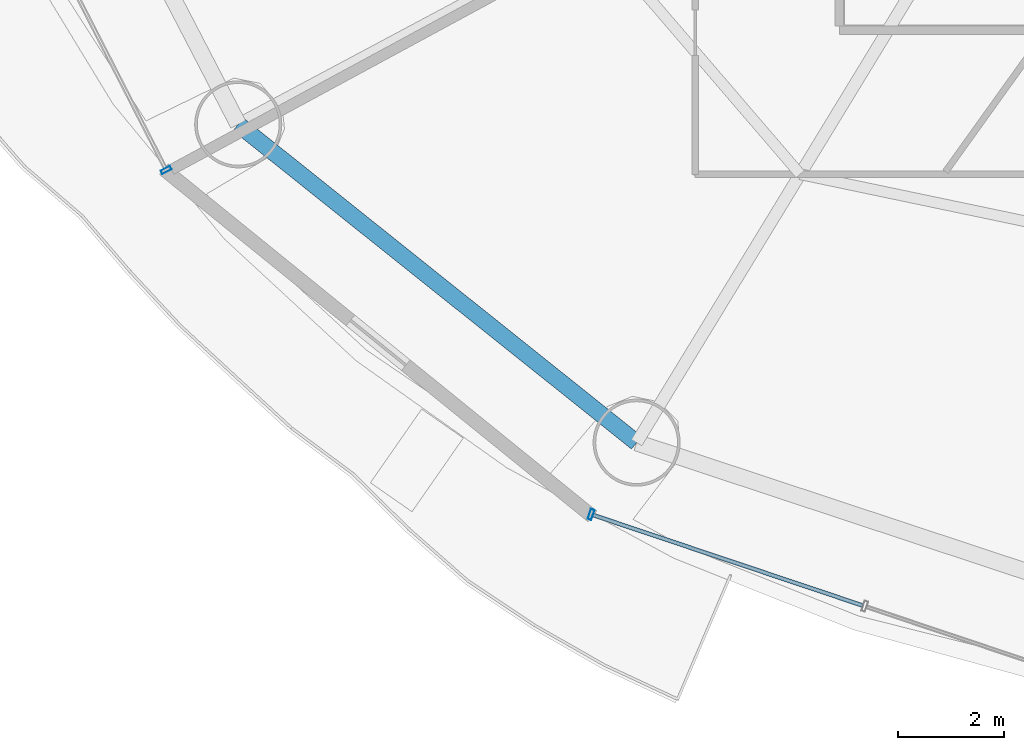
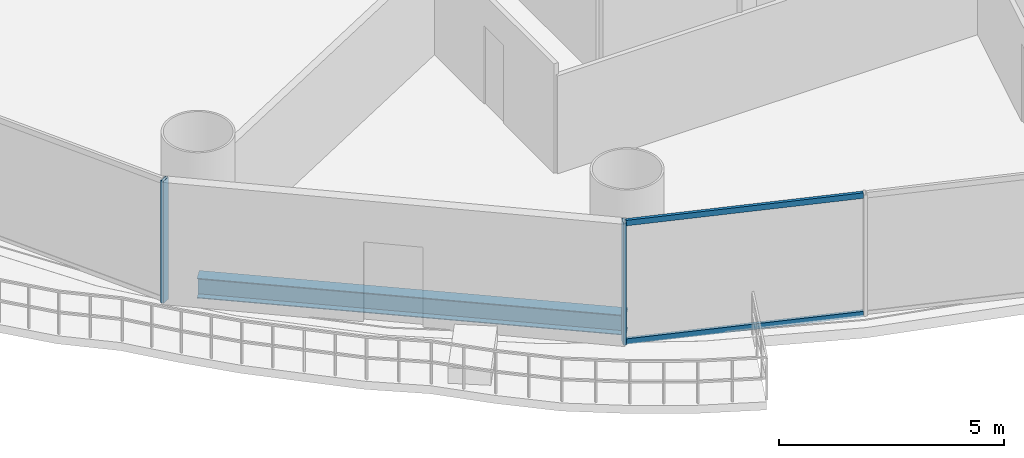
# One storey, part 2 of 30: 4 members, 1 beam, 2 elements without a shape of their own.
"""IFC4 building model written with IfcOpenShell, lengths in metres."""

from ifc_helpers import new_model, si_unit, direction, frame, origin, origin_2d, place, context, subcontext, project, spatial, hollow_rectangle, i_section, extrude, source, transform, mapped, material, material_profile, profile_set, type_object, element, aggregate, save


model = new_model("IFC4")

# Units and contexts
model_context = context("Model", 3, precision=1e-05, world=origin(), true_north=direction((-0.2419218956, 0.970295726276)))
body_context = subcontext(model_context, "Body", "Model", "MODEL_VIEW")
ifc_project = project(units=[si_unit("LENGTHUNIT", "METRE"), si_unit("AREAUNIT", "SQUARE_METRE"), si_unit("VOLUMEUNIT", "CUBIC_METRE"), si_unit("PLANEANGLEUNIT", "RADIAN"), si_unit("MASSUNIT", "GRAM", prefix="KILO")], contexts=[model_context])

# Site, building, storey
site_placement = place(None, origin())
site = spatial("IfcSite", under=ifc_project, at=site_placement, CompositionType="ELEMENT")
building_placement = place(site_placement, origin())
building = spatial("IfcBuilding", under=site, at=building_placement, Name="Cobrevalo Terracotta Tower", CompositionType="ELEMENT")
storey_placement = place(building_placement, frame((0.0, 0.0, 63.60009765625)))
storey = spatial("IfcBuildingStorey", under=building, at=storey_placement, Name="L16", CompositionType="ELEMENT", Elevation=63.60009765625)

# Beam
ifc_material_1 = material(Name="Steel S355", Category="steel")
ifc_material_profile_1 = material_profile(ifc_material_1, i_section(OverallWidth=0.31201171875, OverallDepth=0.54296875, WebThickness=0.0126953125, FlangeThickness=0.020263671875, at=origin_2d()), Name="W 530x150")
ifc_profile_set_1 = profile_set([ifc_material_profile_1], Name="Steel S355")
beam_type = type_object("IfcBeamType", Name="Structural Spandrel W 530x150 (Steel S355)", PredefinedType="SPANDREL", material=ifc_profile_set_1)
beam_placement = place(storey_placement, frame((15.25927734375, 14.660888671875, -0.551513671875), z_axis=(0.781280479891, -0.62418011162, 0.0), x_axis=(0.62418011162, 0.781280479891, 0.0)))
element("IfcBeam", 1, at=beam_placement, inside=storey, type_object=beam_type, Name="L16 perimeter ring spandrel 10", PredefinedType="SPANDREL", context=body_context, shape_type="SweptSolid", body=[
    extrude(i_section(OverallWidth=0.31201171875, OverallDepth=0.54296875, WebThickness=0.0126953125, FlangeThickness=0.020263671875, at=origin_2d()), origin(), (0.0, 0.0, 1.0), 9.658447265625),
])

# Curtain wall, members
ifc_material_2 = material(Name="Anodized aluminium", Category="aluminium")
curtain_wall_type = type_object("IfcCurtainWallType", Name="Lower-tower unitised acoustic low-E curtain wall CW-U1", PredefinedType="NOTDEFINED", material=ifc_material_2)
curtain_wall_1_placement = place(storey_placement, origin())
curtain_wall_1 = element("IfcCurtainWall", 2, at=curtain_wall_1_placement, inside=storey, type_object=curtain_wall_type, Name="L16 curtain wall CW-L16-S11", PredefinedType="NOTDEFINED")
ifc_material_profile_2 = material_profile(ifc_material_2, hollow_rectangle(XDim=0.074951171875, YDim=0.14990234375, WallThickness=0.00439453125, at=origin_2d()), Name="CWT 75x150")
ifc_profile_set_2 = profile_set([ifc_material_profile_2], Name="Anodized aluminium")
member_type_1 = type_object("IfcMemberType", Name="Tower unitised aluminium transom 75x150", PredefinedType="USERDEFINED", material=ifc_profile_set_2)
shared_shape_1 = source(origin(), body_context, "Body", "SweptSolid", [
    extrude(hollow_rectangle(XDim=0.074951171875, YDim=0.14990234375, WallThickness=0.00439453125, at=origin_2d()), origin(), (0.0, 0.0, 1.0), 5.387939453125),
])
member_1_placement = place(storey_placement, frame((21.98095703125, 7.260009765625, 0.0498046875), z_axis=(0.94804244582, -0.318143868278, 0.0), x_axis=(0.318143868278, 0.94804244582, 0.0)))
member_1 = element("IfcMember", 3, at=member_1_placement, type_object=member_type_1, Name="CW-L16-S11 transom B01-T1", ObjectType="TRANSOM", PredefinedType="USERDEFINED", context=body_context, shape_type="MappedRepresentation", body=[
    mapped(shared_shape_1, transform((0.0, 0.0, 0.0), scale=1.0)),
])
member_2_placement = place(storey_placement, frame((21.98095703125, 7.260009765625, 3.27001953125), z_axis=(0.94804244582, -0.318143868278, 0.0), x_axis=(0.318143868278, 0.94804244582, 0.0)))
member_2 = element("IfcMember", 4, at=member_2_placement, type_object=member_type_1, Name="CW-L16-S11 transom B01-T2", ObjectType="TRANSOM", PredefinedType="USERDEFINED", context=body_context, shape_type="MappedRepresentation", body=[
    mapped(shared_shape_1, transform((0.0, 0.0, 0.0), scale=1.0)),
])

# Curtain wall, member
curtain_wall_2_placement = place(storey_placement, origin())
curtain_wall_2 = element("IfcCurtainWall", 5, at=curtain_wall_2_placement, inside=storey, type_object=curtain_wall_type, Name="L16 curtain wall CW-L16-S09", PredefinedType="NOTDEFINED")
ifc_material_profile_3 = material_profile(ifc_material_2, hollow_rectangle(XDim=0.074951171875, YDim=0.199951171875, WallThickness=0.0048828125, at=origin_2d()), Name="CWM 75x200")
ifc_profile_set_3 = profile_set([ifc_material_profile_3], Name="Anodized aluminium")
member_type_2 = type_object("IfcMemberType", Name="Lower/mid tower unitised mullion 75x200", PredefinedType="MULLION", material=ifc_profile_set_3)
shared_shape_2 = source(origin(), body_context, "Body", "SweptSolid", [
    extrude(hollow_rectangle(XDim=0.074951171875, YDim=0.199951171875, WallThickness=0.0048828125, at=origin_2d()), origin(), (0.0, 0.0, 1.0), 3.31982421875),
])
member_3_placement = place(storey_placement, frame((13.89404296875, 13.79638671875, 0.0), z_axis=(0.0, 0.0, 1.0), x_axis=(0.455234136597, -0.890371765543, 0.0)))
member_3 = element("IfcMember", 6, at=member_3_placement, type_object=member_type_2, Name="CW-L16-S09 vertical mullion 03", PredefinedType="MULLION", context=body_context, shape_type="MappedRepresentation", body=[
    mapped(shared_shape_2, transform((0.0, 0.0, 0.0), scale=1.0)),
])
aggregate(curtain_wall_2, [member_3])

# Member
member_4_placement = place(storey_placement, frame((21.943115234375, 7.272705078125, 0.0), z_axis=(0.0, 0.0, 1.0), x_axis=(0.948046393597, -0.318132103987, 0.0)))
member_4 = element("IfcMember", 7, at=member_4_placement, type_object=member_type_2, Name="CW-L16-S11 vertical mullion 01", PredefinedType="MULLION", context=body_context, shape_type="MappedRepresentation", body=[
    mapped(shared_shape_2, transform((0.0, 0.0, 0.0), scale=1.0)),
])

aggregate(curtain_wall_1, [member_4, member_1, member_2])

save(model, "model.ifc")
